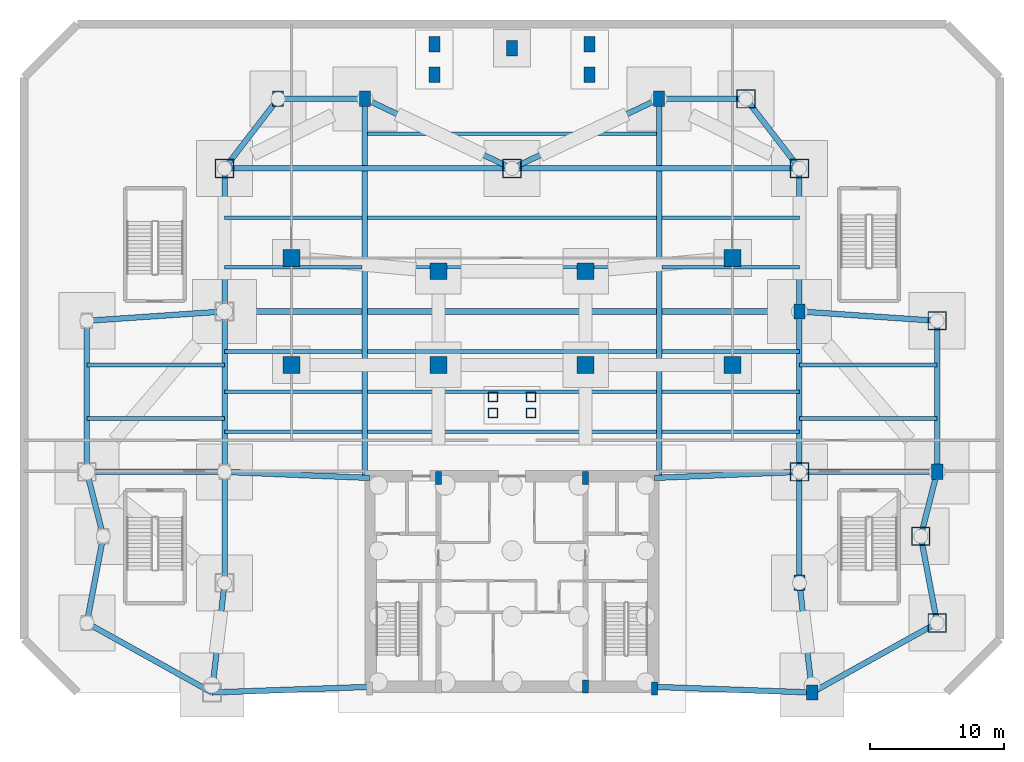
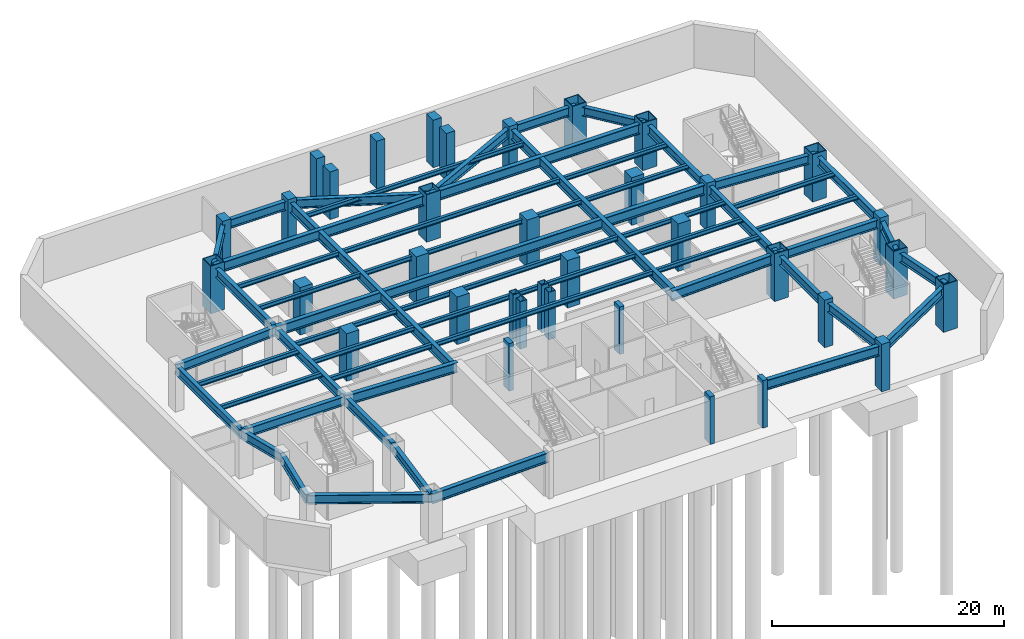
# One storey, part 2 of 7: 55 beams, 36 columns.
"""IFC4 building model written with IfcOpenShell, lengths in metres."""

from ifc_helpers import new_model, si_unit, direction, frame, origin, origin_2d, place, context, subcontext, project, spatial, rectangle, hollow_rectangle, i_section, extrude, source, transform, mapped, material, material_profile, profile_set, type_object, type_shapes, element, save


model = new_model("IFC4")

# Units and contexts
model_context = context("Model", 3, precision=1e-05, world=origin(), true_north=direction((0.0, 1.0)))
body_context = subcontext(model_context, "Body", "Model", "MODEL_VIEW")
ifc_project = project(units=[si_unit("LENGTHUNIT", "METRE"), si_unit("AREAUNIT", "SQUARE_METRE"), si_unit("VOLUMEUNIT", "CUBIC_METRE"), si_unit("PLANEANGLEUNIT", "RADIAN"), si_unit("MASSUNIT", "GRAM", prefix="KILO")], contexts=[model_context])

# Site, building, storey
site_placement = place(None, origin())
site = spatial("IfcSite", under=ifc_project, at=site_placement, CompositionType="ELEMENT")
building_placement = place(site_placement, origin())
building = spatial("IfcBuilding", under=site, at=building_placement, Name="Varnakhor Terracotta Tower", CompositionType="ELEMENT")
storey_placement = place(building_placement, frame((0.0, 0.0, -10.0)))
storey = spatial("IfcBuildingStorey", under=building, at=storey_placement, Name="B02", CompositionType="ELEMENT", Elevation=-10.0)

# Columns
ifc_material_1 = material(Name="Concrete C50/60", Category="concrete")
ifc_material_profile_1 = material_profile(ifc_material_1, rectangle(XDim=0.449951171875, YDim=0.949951171875, at=origin_2d()), Name="RC PILASTER 950x450")
ifc_profile_set_1 = profile_set([ifc_material_profile_1], Name="Concrete C50/60")
column_type_1 = type_object("IfcColumnType", Name="COL-PIL-950x450", PredefinedType="PILASTER", material=ifc_profile_set_1)
shared_shape_1 = source(origin(), body_context, "Body", "SweptSolid", [
    extrude(rectangle(XDim=0.449951171875, YDim=0.949951171875, at=origin_2d()), origin(), (0.0, 0.0, 1.0), 5.0),
])
type_shapes(column_type_1, [shared_shape_1])
for number, where, z_axis, x_axis, name in (
    (1, (5.5, 0.449951171875, 0.0), (0.0, 0.0, 1.0), (1.0, 0.0, 0.0), "B02 Core Pilaster CP3"),
    (2, (10.64990234375, 0.300048828125, 0.0), (0.0, 0.0, 1.0), (1.0, 0.0, 0.0), "B02 Core Pilaster CP4"),
    (3, (-5.5, 16.050048828125, 0.0), (0.0, 0.0, 1.0), (1.0, 0.0, 0.0), "B02 Core Pilaster CP5"),
    (4, (5.5, 16.050048828125, 0.0), (0.0, 0.0, 1.0), (1.0, 0.0, 0.0), "B02 Core Pilaster CP6"),
):
    element("IfcColumn", number, at=place(storey_placement, frame(where, z_axis=z_axis, x_axis=x_axis)), inside=storey, type_object=column_type_1, Name=name, PredefinedType="PILASTER", context=body_context, shape_type="MappedRepresentation", body=[
        mapped(shared_shape_1, transform((0.0, 0.0, 0.0), scale=1.0)),
    ])
ifc_material_2 = material(Name="Concrete C60/75", Category="concrete")
ifc_material_profile_2 = material_profile(ifc_material_2, rectangle(XDim=0.85009765625, YDim=1.14990234375, at=origin_2d()), Name="RC 1150x850")
ifc_profile_set_2 = profile_set([ifc_material_profile_2], Name="Concrete C60/75")
column_type_2 = type_object("IfcColumnType", Name="COL-RC-1150x850", PredefinedType="COLUMN", material=ifc_profile_set_2)
shared_shape_2 = source(origin(), body_context, "Body", "SweptSolid", [
    extrude(rectangle(XDim=0.85009765625, YDim=1.14990234375, at=origin_2d()), origin(), (0.0, 0.0, 1.0), 5.0),
])
type_shapes(column_type_2, [shared_shape_2])
for number, where, z_axis, x_axis, name in (
    (5, (-5.800048828125, 46.199951171875, 0.0), (0.0, 0.0, 1.0), (1.0, 0.0, 0.0), "B02 North Terrace Support Column 1"),
    (6, (5.800048828125, 46.199951171875, 0.0), (0.0, 0.0, 1.0), (1.0, 0.0, 0.0), "B02 North Terrace Support Column 2"),
    (7, (0.0, 48.199951171875, 0.0), (0.0, 0.0, 1.0), (1.0, 0.0, 0.0), "B02 North Terrace Support Column 3"),
    (8, (-5.800048828125, 48.5, 0.0), (0.0, 0.0, 1.0), (1.0, 0.0, 0.0), "B02 North Terrace Support Column 4"),
    (9, (5.800048828125, 48.5, 0.0), (0.0, 0.0, 1.0), (1.0, 0.0, 0.0), "B02 North Terrace Support Column 5"),
    (10, (22.446044921875, 0.0, 0.0), (0.0, 0.0, 1.0), (1.0, 0.0, 0.0), "B02 Podium Column PC02"),
    (11, (21.5, 8.199951171875, 0.0), (0.0, 0.0, 1.0), (1.0, 0.0, 0.0), "B02 Podium Column PC04"),
    (12, (31.800048828125, 16.5, 0.0), (0.0, 0.0, 1.0), (1.0, 0.0, 0.0), "B02 Podium Column PC06"),
    (13, (21.5, 28.5, 0.0), (0.0, 0.0, 1.0), (1.0, 0.0, 0.0), "B02 Podium Column PC08"),
    (14, (-11.0, 44.39990234375, 0.0), (0.0, 0.0, 1.0), (1.0, 0.0, 0.0), "B02 Podium Column PC10"),
    (15, (11.0, 44.39990234375, 0.0), (0.0, 0.0, 1.0), (1.0, 0.0, 0.0), "B02 Podium Column PC12"),
    (16, (-17.5, 44.39990234375, 0.0), (0.0, 0.0, 1.0), (1.0, 0.0, 0.0), "B02 Podium Column PC20"),
):
    element("IfcColumn", number, at=place(storey_placement, frame(where, z_axis=z_axis, x_axis=x_axis)), inside=storey, type_object=column_type_2, Name=name, PredefinedType="COLUMN", context=body_context, shape_type="MappedRepresentation", body=[
        mapped(shared_shape_2, transform((0.0, 0.0, 0.0), scale=1.0)),
    ])
ifc_material_3 = material(Name="Steel S355", Category="steel")
ifc_material_profile_3 = material_profile(ifc_material_3, hollow_rectangle(XDim=0.699951171875, YDim=0.699951171875, WallThickness=0.035888671875, at=origin_2d()), Name="BOX 700x700x36")
ifc_profile_set_3 = profile_set([ifc_material_profile_3], Name="Steel S355")
column_type_3 = type_object("IfcColumnType", Name="COL-MEGA-700", PredefinedType="COLUMN", material=ifc_profile_set_3)
shared_shape_3 = source(origin(), body_context, "Body", "SweptSolid", [
    extrude(hollow_rectangle(XDim=0.699951171875, YDim=0.699951171875, WallThickness=0.035888671875, at=origin_2d()), origin(), (0.0, 0.0, 1.0), 5.0),
])
type_shapes(column_type_3, [shared_shape_3])
for number, where, z_axis, x_axis, name in (
    (17, (-1.419921875, 20.89990234375, 0.0), (0.0, 0.0, 1.0), (1.0, 0.0, 0.0), "B02 Feature Stair Support Column 1"),
    (18, (1.419921875, 20.89990234375, 0.0), (0.0, 0.0, 1.0), (1.0, 0.0, 0.0), "B02 Feature Stair Support Column 2"),
    (19, (-1.419921875, 22.10009765625, 0.0), (0.0, 0.0, 1.0), (1.0, 0.0, 0.0), "B02 Feature Stair Support Column 3"),
    (20, (1.419921875, 22.10009765625, 0.0), (0.0, 0.0, 1.0), (1.0, 0.0, 0.0), "B02 Feature Stair Support Column 4"),
):
    element("IfcColumn", number, at=place(storey_placement, frame(where, z_axis=z_axis, x_axis=x_axis)), inside=storey, type_object=column_type_3, Name=name, PredefinedType="COLUMN", context=body_context, shape_type="MappedRepresentation", body=[
        mapped(shared_shape_3, transform((0.0, 0.0, 0.0), scale=1.0)),
    ])
ifc_material_4 = material(Name="Steel S460", Category="steel")
ifc_material_profile_4 = material_profile(ifc_material_4, hollow_rectangle(XDim=1.39990234375, YDim=1.39990234375, WallThickness=0.070068359375, at=origin_2d()), Name="BOX 1400x1400x70")
ifc_profile_set_4 = profile_set([ifc_material_profile_4], Name="Steel S460")
column_type_4 = type_object("IfcColumnType", Name="COL-MEGA-1400", PredefinedType="COLUMN", material=ifc_profile_set_4)
shared_shape_4 = source(origin(), body_context, "Body", "SweptSolid", [
    extrude(hollow_rectangle(XDim=1.39990234375, YDim=1.39990234375, WallThickness=0.070068359375, at=origin_2d()), origin(), (0.0, 0.0, 1.0), 5.0),
])
type_shapes(column_type_4, [shared_shape_4])
for number, where, z_axis, x_axis, name in (
    (21, (-21.5, 39.199951171875, 0.0), (0.0, 0.0, 1.0), (1.0, 0.0, 0.0), "B02 Podium Column PC09"),
    (22, (0.0, 39.199951171875, 0.0), (0.0, 0.0, 1.0), (1.0, 0.0, 0.0), "B02 Podium Column PC11"),
    (23, (21.5, 39.199951171875, 0.0), (0.0, 0.0, 1.0), (1.0, 0.0, 0.0), "B02 Podium Column PC13"),
    (24, (21.5, 16.5, 0.0), (0.0, 0.0, 1.0), (1.0, 0.0, 0.0), "B02 Podium Column PC15"),
    (25, (31.800048828125, 5.199951171875, 0.0), (0.0, 0.0, 1.0), (1.0, 0.0, 0.0), "B02 Podium Column PC17"),
    (26, (31.800048828125, 27.800048828125, 0.0), (0.0, 0.0, 1.0), (1.0, 0.0, 0.0), "B02 Podium Column PC19"),
    (27, (17.5, 44.39990234375, 0.0), (0.0, 0.0, 1.0), (1.0, 0.0, 0.0), "B02 Podium Column PC21"),
    (28, (30.572998046875, 11.68701171875, 0.0), (0.0, 0.0, 1.0), (1.0, 0.0, 0.0), "B02 Podium Column PC23"),
):
    element("IfcColumn", number, at=place(storey_placement, frame(where, z_axis=z_axis, x_axis=x_axis)), inside=storey, type_object=column_type_4, Name=name, PredefinedType="COLUMN", context=body_context, shape_type="MappedRepresentation", body=[
        mapped(shared_shape_4, transform((0.0, 0.0, 0.0), scale=1.0)),
    ])
ifc_material_profile_5 = material_profile(ifc_material_2, rectangle(XDim=1.25, YDim=1.25, at=origin_2d()), Name="RC 1250x1250")
ifc_profile_set_5 = profile_set([ifc_material_profile_5], Name="Concrete C60/75")
column_type_5 = type_object("IfcColumnType", Name="COL-RC-1250", PredefinedType="COLUMN", material=ifc_profile_set_5)
shared_shape_5 = source(origin(), body_context, "Body", "SweptSolid", [
    extrude(rectangle(XDim=1.25, YDim=1.25, at=origin_2d()), origin(), (0.0, 0.0, 1.0), 5.0),
])
type_shapes(column_type_5, [shared_shape_5])
for number, where, z_axis, x_axis, name in (
    (29, (-5.5, 24.5, 0.0), (0.0, 0.0, 1.0), (1.0, 0.0, 0.0), "B02 Basement Column BC01"),
    (30, (5.5, 24.5, 0.0), (0.0, 0.0, 1.0), (1.0, 0.0, 0.0), "B02 Basement Column BC02"),
    (31, (-5.5, 31.5, 0.0), (0.0, 0.0, 1.0), (1.0, 0.0, 0.0), "B02 Basement Column BC03"),
    (32, (5.5, 31.5, 0.0), (0.0, 0.0, 1.0), (1.0, 0.0, 0.0), "B02 Basement Column BC04"),
    (33, (-16.5, 24.5, 0.0), (0.0, 0.0, 1.0), (1.0, 0.0, 0.0), "B02 Basement Column BC05"),
    (34, (16.5, 24.5, 0.0), (0.0, 0.0, 1.0), (1.0, 0.0, 0.0), "B02 Basement Column BC06"),
    (35, (-16.5, 32.5, 0.0), (0.0, 0.0, 1.0), (1.0, 0.0, 0.0), "B02 Basement Column BC07"),
    (36, (16.5, 32.5, 0.0), (0.0, 0.0, 1.0), (1.0, 0.0, 0.0), "B02 Basement Column BC08"),
):
    element("IfcColumn", number, at=place(storey_placement, frame(where, z_axis=z_axis, x_axis=x_axis)), inside=storey, type_object=column_type_5, Name=name, PredefinedType="COLUMN", context=body_context, shape_type="MappedRepresentation", body=[
        mapped(shared_shape_5, transform((0.0, 0.0, 0.0), scale=1.0)),
    ])

# Beams
ifc_material_profile_6 = material_profile(ifc_material_3, i_section(OverallWidth=0.41796875, OverallDepth=0.927001953125, WebThickness=0.01904296875, FlangeThickness=0.031982421875, FilletRadius=0.01806640625, at=origin_2d()), Name="W36X231")
ifc_profile_set_6 = profile_set([ifc_material_profile_6], Name="Steel S355")
beam_type_1 = type_object("IfcBeamType", Name="BM-W36X231", PredefinedType="BEAM", material=ifc_profile_set_6)
shared_shape_6 = source(origin(), body_context, "Body", "SweptSolid", [
    extrude(i_section(OverallWidth=0.41796875, OverallDepth=0.927001953125, WebThickness=0.01904296875, FlangeThickness=0.031982421875, FilletRadius=0.01806640625, at=origin_2d()), origin(), (0.0, 0.0, 1.0), 8.25439453125),
])
type_shapes(beam_type_1, [shared_shape_6])
for number, where, z_axis, x_axis, name in (
    (37, (-22.446044921875, 0.0, 4.136474609375), (0.114611758944, 0.993410360683, 0.0), (-0.993410360683, 0.114611758944, 0.0), "B02 Podium Ring Girder 1"),
    (38, (21.5, 8.199951171875, 4.136474609375), (0.114611758944, -0.993410360683, 0.0), (0.993410360683, 0.114611758944, 0.0), "B02 Podium Ring Girder 14"),
):
    element("IfcBeam", number, at=place(storey_placement, frame(where, z_axis=z_axis, x_axis=x_axis)), inside=storey, type_object=beam_type_1, Name=name, PredefinedType="BEAM", context=body_context, shape_type="MappedRepresentation", body=[
        mapped(shared_shape_6, transform((0.0, 0.0, 0.0), scale=1.0)),
    ])
shared_shape_7 = source(origin(), body_context, "Body", "SweptSolid", [
    extrude(i_section(OverallWidth=0.41796875, OverallDepth=0.927001953125, WebThickness=0.01904296875, FlangeThickness=0.031982421875, FilletRadius=0.01806640625, at=origin_2d()), origin(), (0.0, 0.0, 1.0), 8.300048828125),
])
for number, where, z_axis, x_axis, name in (
    (39, (-21.5, 8.199951171875, 4.136474609375), (0.0, 1.0, 0.0), (-1.0, 0.0, 0.0), "B02 Podium Ring Girder 2"),
    (40, (21.5, 16.5, 4.136474609375), (0.0, -1.0, 0.0), (1.0, 0.0, 0.0), "B02 Podium Ring Girder 13"),
):
    element("IfcBeam", number, at=place(storey_placement, frame(where, z_axis=z_axis, x_axis=x_axis)), inside=storey, type_object=beam_type_1, Name=name, PredefinedType="BEAM", context=body_context, shape_type="MappedRepresentation", body=[
        mapped(shared_shape_7, transform((0.0, 0.0, 0.0), scale=1.0)),
    ])
shared_shape_8 = source(origin(), body_context, "Body", "SweptSolid", [
    extrude(i_section(OverallWidth=0.41796875, OverallDepth=0.927001953125, WebThickness=0.01904296875, FlangeThickness=0.031982421875, FilletRadius=0.01806640625, at=origin_2d()), origin(), (0.0, 0.0, 1.0), 12.0),
])
for number, where, z_axis, x_axis, name in (
    (41, (-21.5, 16.5, 4.136474609375), (0.0, 1.0, 0.0), (-1.0, 0.0, 0.0), "B02 Podium Ring Girder 3"),
    (42, (21.5, 28.5, 4.136474609375), (0.0, -1.0, 0.0), (1.0, 0.0, 0.0), "B02 Podium Ring Girder 12"),
):
    element("IfcBeam", number, at=place(storey_placement, frame(where, z_axis=z_axis, x_axis=x_axis)), inside=storey, type_object=beam_type_1, Name=name, PredefinedType="BEAM", context=body_context, shape_type="MappedRepresentation", body=[
        mapped(shared_shape_8, transform((0.0, 0.0, 0.0), scale=1.0)),
    ])
shared_shape_9 = source(origin(), body_context, "Body", "SweptSolid", [
    extrude(i_section(OverallWidth=0.41796875, OverallDepth=0.927001953125, WebThickness=0.01904296875, FlangeThickness=0.031982421875, FilletRadius=0.01806640625, at=origin_2d()), origin(), (0.0, 0.0, 1.0), 10.699951171875),
])
for number, where, z_axis, x_axis, name in (
    (43, (-21.5, 28.5, 4.136474609375), (0.0, 1.0, 0.0), (-1.0, 0.0, 0.0), "B02 Podium Ring Girder 4"),
    (44, (21.5, 39.199951171875, 4.136474609375), (0.0, -1.0, 0.0), (1.0, 0.0, 0.0), "B02 Podium Ring Girder 11"),
):
    element("IfcBeam", number, at=place(storey_placement, frame(where, z_axis=z_axis, x_axis=x_axis)), inside=storey, type_object=beam_type_1, Name=name, PredefinedType="BEAM", context=body_context, shape_type="MappedRepresentation", body=[
        mapped(shared_shape_9, transform((0.0, 0.0, 0.0), scale=1.0)),
    ])
shared_shape_10 = source(origin(), body_context, "Body", "SweptSolid", [
    extrude(i_section(OverallWidth=0.41796875, OverallDepth=0.927001953125, WebThickness=0.01904296875, FlangeThickness=0.031982421875, FilletRadius=0.01806640625, at=origin_2d()), origin(), (0.0, 0.0, 1.0), 6.560546875),
])
for number, where, z_axis, x_axis, name in (
    (45, (-21.5, 39.199951171875, 4.136474609375), (0.609714357737, 0.792621222255, 0.0), (-0.792621222255, 0.609714357737, 0.0), "B02 Podium Ring Girder 5"),
    (46, (17.5, 44.39990234375, 4.136474609375), (0.609714357737, -0.792621222255, 0.0), (0.792621222255, 0.609714357737, 0.0), "B02 Podium Ring Girder 10"),
):
    element("IfcBeam", number, at=place(storey_placement, frame(where, z_axis=z_axis, x_axis=x_axis)), inside=storey, type_object=beam_type_1, Name=name, PredefinedType="BEAM", context=body_context, shape_type="MappedRepresentation", body=[
        mapped(shared_shape_10, transform((0.0, 0.0, 0.0), scale=1.0)),
    ])
shared_shape_11 = source(origin(), body_context, "Body", "SweptSolid", [
    extrude(i_section(OverallWidth=0.41796875, OverallDepth=0.927001953125, WebThickness=0.01904296875, FlangeThickness=0.031982421875, FilletRadius=0.01806640625, at=origin_2d()), origin(), (0.0, 0.0, 1.0), 6.5),
])
for number, where, z_axis, x_axis, name in (
    (47, (-17.5, 44.39990234375, 4.136474609375), (1.0, 0.0, 0.0), (0.0, 1.0, 0.0), "B02 Podium Ring Girder 6"),
    (48, (11.0, 44.39990234375, 4.136474609375), (1.0, 0.0, 0.0), (0.0, 1.0, 0.0), "B02 Podium Ring Girder 9"),
):
    element("IfcBeam", number, at=place(storey_placement, frame(where, z_axis=z_axis, x_axis=x_axis)), inside=storey, type_object=beam_type_1, Name=name, PredefinedType="BEAM", context=body_context, shape_type="MappedRepresentation", body=[
        mapped(shared_shape_11, transform((0.0, 0.0, 0.0), scale=1.0)),
    ])
shared_shape_12 = source(origin(), body_context, "Body", "SweptSolid", [
    extrude(i_section(OverallWidth=0.41796875, OverallDepth=0.927001953125, WebThickness=0.01904296875, FlangeThickness=0.031982421875, FilletRadius=0.01806640625, at=origin_2d()), origin(), (0.0, 0.0, 1.0), 12.167236328125),
])
for number, where, z_axis, x_axis, name in (
    (49, (-11.0, 44.39990234375, 4.136474609375), (0.904073817094, -0.427376336787, 0.0), (0.427376336787, 0.904073817094, 0.0), "B02 Podium Ring Girder 7"),
    (50, (0.0, 39.199951171875, 4.136474609375), (0.904073817094, 0.427376336787, 0.0), (-0.427376336787, 0.904073817094, 0.0), "B02 Podium Ring Girder 8"),
):
    element("IfcBeam", number, at=place(storey_placement, frame(where, z_axis=z_axis, x_axis=x_axis)), inside=storey, type_object=beam_type_1, Name=name, PredefinedType="BEAM", context=body_context, shape_type="MappedRepresentation", body=[
        mapped(shared_shape_12, transform((0.0, 0.0, 0.0), scale=1.0)),
    ])
shared_shape_13 = source(origin(), body_context, "Body", "SweptSolid", [
    extrude(i_section(OverallWidth=0.41796875, OverallDepth=0.927001953125, WebThickness=0.01904296875, FlangeThickness=0.031982421875, FilletRadius=0.01806640625, at=origin_2d()), origin(), (0.0, 0.0, 1.0), 10.7021484375),
])
for number, where, z_axis, x_axis, name in (
    (51, (-22.446044921875, 0.0, 4.136474609375), (-0.874027042936, 0.485877276909, 0.0), (-0.485877276909, -0.874027042936, 0.0), "B02 Podium Wing Girder OW1"),
    (52, (22.446044921875, 0.0, 4.136474609375), (0.874027042936, 0.485877276909, 0.0), (-0.485877276909, 0.874027042936, 0.0), "B02 Podium Wing Girder OE1"),
):
    element("IfcBeam", number, at=place(storey_placement, frame(where, z_axis=z_axis, x_axis=x_axis)), inside=storey, type_object=beam_type_1, Name=name, PredefinedType="BEAM", context=body_context, shape_type="MappedRepresentation", body=[
        mapped(shared_shape_13, transform((0.0, 0.0, 0.0), scale=1.0)),
    ])
shared_shape_14 = source(origin(), body_context, "Body", "SweptSolid", [
    extrude(i_section(OverallWidth=0.41796875, OverallDepth=0.927001953125, WebThickness=0.01904296875, FlangeThickness=0.031982421875, FilletRadius=0.01806640625, at=origin_2d()), origin(), (0.0, 0.0, 1.0), 6.60205078125),
])
for number, where, z_axis, x_axis, name in (
    (53, (-31.800048828125, 5.199951171875, 4.136474609375), (0.185857896361, 0.982576634345, 0.0), (-0.982576634345, 0.185857896361, 0.0), "B02 Podium Wing Girder OW2A"),
    (54, (31.800048828125, 5.199951171875, 4.136474609375), (-0.185857896361, 0.982576634345, 0.0), (-0.982576634345, -0.185857896361, 0.0), "B02 Podium Wing Girder OE2A"),
):
    element("IfcBeam", number, at=place(storey_placement, frame(where, z_axis=z_axis, x_axis=x_axis)), inside=storey, type_object=beam_type_1, Name=name, PredefinedType="BEAM", context=body_context, shape_type="MappedRepresentation", body=[
        mapped(shared_shape_14, transform((0.0, 0.0, 0.0), scale=1.0)),
    ])
shared_shape_15 = source(origin(), body_context, "Body", "SweptSolid", [
    extrude(i_section(OverallWidth=0.41796875, OverallDepth=0.927001953125, WebThickness=0.01904296875, FlangeThickness=0.031982421875, FilletRadius=0.01806640625, at=origin_2d()), origin(), (0.0, 0.0, 1.0), 4.967041015625),
])
for number, where, z_axis, x_axis, name in (
    (55, (-30.572998046875, 11.68701171875, 4.136474609375), (-0.247043524216, 0.969004384481, 0.0), (-0.969004384481, -0.247043524216, 0.0), "B02 Podium Wing Girder OW2B"),
    (56, (30.572998046875, 11.68701171875, 4.136474609375), (0.247043524216, 0.969004384481, 0.0), (-0.969004384481, 0.247043524216, 0.0), "B02 Podium Wing Girder OE2B"),
):
    element("IfcBeam", number, at=place(storey_placement, frame(where, z_axis=z_axis, x_axis=x_axis)), inside=storey, type_object=beam_type_1, Name=name, PredefinedType="BEAM", context=body_context, shape_type="MappedRepresentation", body=[
        mapped(shared_shape_15, transform((0.0, 0.0, 0.0), scale=1.0)),
    ])
shared_shape_16 = source(origin(), body_context, "Body", "SweptSolid", [
    extrude(i_section(OverallWidth=0.41796875, OverallDepth=0.927001953125, WebThickness=0.01904296875, FlangeThickness=0.031982421875, FilletRadius=0.01806640625, at=origin_2d()), origin(), (0.0, 0.0, 1.0), 11.300048828125),
])
for number, where, z_axis, x_axis, name in (
    (57, (-31.800048828125, 16.5, 4.136474609375), (0.0, 1.0, 0.0), (-1.0, 0.0, 0.0), "B02 Podium Wing Girder OW3"),
    (58, (31.800048828125, 16.5, 4.136474609375), (0.0, 1.0, 0.0), (-1.0, 0.0, 0.0), "B02 Podium Wing Girder OE3"),
):
    element("IfcBeam", number, at=place(storey_placement, frame(where, z_axis=z_axis, x_axis=x_axis)), inside=storey, type_object=beam_type_1, Name=name, PredefinedType="BEAM", context=body_context, shape_type="MappedRepresentation", body=[
        mapped(shared_shape_16, transform((0.0, 0.0, 0.0), scale=1.0)),
    ])
shared_shape_17 = source(origin(), body_context, "Body", "SweptSolid", [
    extrude(i_section(OverallWidth=0.41796875, OverallDepth=0.927001953125, WebThickness=0.01904296875, FlangeThickness=0.031982421875, FilletRadius=0.01806640625, at=origin_2d()), origin(), (0.0, 0.0, 1.0), 10.300048828125),
])
for number, where, z_axis, x_axis, name in (
    (59, (-21.5, 16.5, 4.136474609375), (-1.0, 0.0, 0.0), (0.0, -1.0, 0.0), "B02 Podium Wing Girder OW4"),
    (60, (21.5, 16.5, 4.136474609375), (1.0, 0.0, 0.0), (0.0, 1.0, 0.0), "B02 Podium Wing Girder OE4"),
):
    element("IfcBeam", number, at=place(storey_placement, frame(where, z_axis=z_axis, x_axis=x_axis)), inside=storey, type_object=beam_type_1, Name=name, PredefinedType="BEAM", context=body_context, shape_type="MappedRepresentation", body=[
        mapped(shared_shape_17, transform((0.0, 0.0, 0.0), scale=1.0)),
    ])
shared_shape_18 = source(origin(), body_context, "Body", "SweptSolid", [
    extrude(i_section(OverallWidth=0.41796875, OverallDepth=0.927001953125, WebThickness=0.01904296875, FlangeThickness=0.031982421875, FilletRadius=0.01806640625, at=origin_2d()), origin(), (0.0, 0.0, 1.0), 10.32373046875),
])
for number, where, z_axis, x_axis, name in (
    (61, (-21.5, 28.5, 4.136474609375), (-0.997698950759, -0.067799731964, 0.0), (0.067799731964, -0.997698950759, 0.0), "B02 Podium Wing Girder OW5"),
    (62, (21.5, 28.5, 4.136474609375), (0.997698950759, -0.067799731964, 0.0), (0.067799731964, 0.997698950759, 0.0), "B02 Podium Wing Girder OE5"),
):
    element("IfcBeam", number, at=place(storey_placement, frame(where, z_axis=z_axis, x_axis=x_axis)), inside=storey, type_object=beam_type_1, Name=name, PredefinedType="BEAM", context=body_context, shape_type="MappedRepresentation", body=[
        mapped(shared_shape_18, transform((0.0, 0.0, 0.0), scale=1.0)),
    ])
ifc_material_profile_7 = material_profile(ifc_material_4, i_section(OverallWidth=0.419921875, OverallDepth=1.0400390625, WebThickness=0.031005859375, FlangeThickness=0.055908203125, FilletRadius=0.01806640625, at=origin_2d()), Name="W40X397")
ifc_profile_set_7 = profile_set([ifc_material_profile_7], Name="Steel S460")
beam_type_2 = type_object("IfcBeamType", Name="BM-W40X397", PredefinedType="BEAM", material=ifc_profile_set_7)
shared_shape_19 = source(origin(), body_context, "Body", "SweptSolid", [
    extrude(i_section(OverallWidth=0.419921875, OverallDepth=1.0400390625, WebThickness=0.031005859375, FlangeThickness=0.055908203125, FilletRadius=0.01806640625, at=origin_2d()), origin(), (0.0, 0.0, 1.0), 11.8037109375),
])
type_shapes(beam_type_2, [shared_shape_19])
for number, where, z_axis, x_axis, name in (
    (63, (-22.446044921875, 0.0, 4.080078125), (0.999366984345, 0.035575702404, 0.0), (-0.035575702404, 0.999366984345, 0.0), "B02 Podium Primary Girder GW1"),
    (64, (10.64990234375, 0.419921875, 4.080078125), (0.999366984345, -0.035575702404, 0.0), (0.035575702404, 0.999366984345, 0.0), "B02 Podium Primary Girder GE1"),
):
    element("IfcBeam", number, at=place(storey_placement, frame(where, z_axis=z_axis, x_axis=x_axis)), inside=storey, type_object=beam_type_2, Name=name, PredefinedType="BEAM", context=body_context, shape_type="MappedRepresentation", body=[
        mapped(shared_shape_19, transform((0.0, 0.0, 0.0), scale=1.0)),
    ])
shared_shape_20 = source(origin(), body_context, "Body", "SweptSolid", [
    extrude(i_section(OverallWidth=0.419921875, OverallDepth=1.0400390625, WebThickness=0.031005859375, FlangeThickness=0.055908203125, FilletRadius=0.01806640625, at=origin_2d()), origin(), (0.0, 0.0, 1.0), 10.859375),
])
for number, where, z_axis, x_axis, name in (
    (65, (-21.5, 16.5, 4.080078125), (0.99914123612, -0.041434168088, 0.0), (0.041434168088, 0.99914123612, 0.0), "B02 Podium Primary Girder GW2"),
    (66, (10.64990234375, 16.050048828125, 4.080078125), (0.99914123612, 0.041434168088, 0.0), (-0.041434168088, 0.99914123612, 0.0), "B02 Podium Primary Girder GE2"),
):
    element("IfcBeam", number, at=place(storey_placement, frame(where, z_axis=z_axis, x_axis=x_axis)), inside=storey, type_object=beam_type_2, Name=name, PredefinedType="BEAM", context=body_context, shape_type="MappedRepresentation", body=[
        mapped(shared_shape_20, transform((0.0, 0.0, 0.0), scale=1.0)),
    ])
shared_shape_21 = source(origin(), body_context, "Body", "SweptSolid", [
    extrude(i_section(OverallWidth=0.419921875, OverallDepth=1.0400390625, WebThickness=0.031005859375, FlangeThickness=0.055908203125, FilletRadius=0.01806640625, at=origin_2d()), origin(), (0.0, 0.0, 1.0), 43.0),
])
beam_placement = place(storey_placement, frame((-21.5, 28.5, 4.080078125), z_axis=(1.0, 0.0, 0.0), x_axis=(0.0, 1.0, 0.0)))
element("IfcBeam", 67, at=beam_placement, inside=storey, type_object=beam_type_2, Name="B02 Podium Primary Girder GN1", PredefinedType="BEAM", context=body_context, shape_type="MappedRepresentation", body=[
    mapped(shared_shape_21, transform((0.0, 0.0, 0.0), scale=1.0)),
])
shared_shape_22 = source(origin(), body_context, "Body", "SweptSolid", [
    extrude(i_section(OverallWidth=0.419921875, OverallDepth=1.0400390625, WebThickness=0.031005859375, FlangeThickness=0.055908203125, FilletRadius=0.01806640625, at=origin_2d()), origin(), (0.0, 0.0, 1.0), 21.5),
])
for number, where, z_axis, x_axis, name in (
    (68, (-21.5, 39.199951171875, 4.080078125), (1.0, 0.0, 0.0), (0.0, 1.0, 0.0), "B02 Podium Primary Girder GN2"),
    (69, (0.0, 39.199951171875, 4.080078125), (1.0, 0.0, 0.0), (0.0, 1.0, 0.0), "B02 Podium Primary Girder GN3"),
):
    element("IfcBeam", number, at=place(storey_placement, frame(where, z_axis=z_axis, x_axis=x_axis)), inside=storey, type_object=beam_type_2, Name=name, PredefinedType="BEAM", context=body_context, shape_type="MappedRepresentation", body=[
        mapped(shared_shape_22, transform((0.0, 0.0, 0.0), scale=1.0)),
    ])
shared_shape_23 = source(origin(), body_context, "Body", "SweptSolid", [
    extrude(i_section(OverallWidth=0.419921875, OverallDepth=1.0400390625, WebThickness=0.031005859375, FlangeThickness=0.055908203125, FilletRadius=0.01806640625, at=origin_2d()), origin(), (0.0, 0.0, 1.0), 28.349853515625),
])
for number, where, z_axis, x_axis, name in (
    (70, (-11.0, 16.050048828125, 4.080078125), (0.0, 1.0, 0.0), (-1.0, 0.0, 0.0), "B02 Podium Primary Girder GNS-W"),
    (71, (11.0, 16.050048828125, 4.080078125), (0.0, 1.0, 0.0), (-1.0, 0.0, 0.0), "B02 Podium Primary Girder GNS-E"),
):
    element("IfcBeam", number, at=place(storey_placement, frame(where, z_axis=z_axis, x_axis=x_axis)), inside=storey, type_object=beam_type_2, Name=name, PredefinedType="BEAM", context=body_context, shape_type="MappedRepresentation", body=[
        mapped(shared_shape_23, transform((0.0, 0.0, 0.0), scale=1.0)),
    ])
ifc_material_profile_8 = material_profile(ifc_material_3, i_section(OverallWidth=0.280029296875, OverallDepth=0.462890625, WebThickness=0.010986328125, FlangeThickness=0.01708984375, FilletRadius=0.01806640625, at=origin_2d()), Name="W18X76")
ifc_profile_set_8 = profile_set([ifc_material_profile_8], Name="Steel S355")
beam_type_3 = type_object("IfcBeamType", Name="JST-W18X76", PredefinedType="JOIST", material=ifc_profile_set_8)
shared_shape_24 = source(origin(), body_context, "Body", "SweptSolid", [
    extrude(i_section(OverallWidth=0.280029296875, OverallDepth=0.462890625, WebThickness=0.010986328125, FlangeThickness=0.01708984375, FilletRadius=0.01806640625, at=origin_2d()), origin(), (0.0, 0.0, 1.0), 10.2939453125),
])
type_shapes(beam_type_3, [shared_shape_24])
for number, where, z_axis, x_axis, name in (
    (72, (-21.5, 19.5, 4.368408203125), (1.0, 0.0, 0.0), (0.0, 1.0, 0.0), "B02 Podium Joist 1W"),
    (73, (11.2060546875, 19.5, 4.368408203125), (1.0, 0.0, 0.0), (0.0, 1.0, 0.0), "B02 Podium Joist 1E"),
    (74, (-21.5, 22.5, 4.368408203125), (1.0, 0.0, 0.0), (0.0, 1.0, 0.0), "B02 Podium Joist 2W"),
    (75, (11.2060546875, 22.5, 4.368408203125), (1.0, 0.0, 0.0), (0.0, 1.0, 0.0), "B02 Podium Joist 2E"),
    (76, (-21.5, 25.5, 4.368408203125), (1.0, 0.0, 0.0), (0.0, 1.0, 0.0), "B02 Podium Joist 3W"),
    (77, (11.2060546875, 25.5, 4.368408203125), (1.0, 0.0, 0.0), (0.0, 1.0, 0.0), "B02 Podium Joist 3E"),
    (78, (-21.5, 31.800048828125, 4.368408203125), (1.0, 0.0, 0.0), (0.0, 1.0, 0.0), "B02 Podium Joist 4W"),
    (79, (11.2060546875, 31.800048828125, 4.368408203125), (1.0, 0.0, 0.0), (0.0, 1.0, 0.0), "B02 Podium Joist 4E"),
    (80, (-21.5, 35.5, 4.368408203125), (1.0, 0.0, 0.0), (0.0, 1.0, 0.0), "B02 Podium Joist 5W"),
    (81, (11.2060546875, 35.5, 4.368408203125), (1.0, 0.0, 0.0), (0.0, 1.0, 0.0), "B02 Podium Joist 5E"),
):
    element("IfcBeam", number, at=place(storey_placement, frame(where, z_axis=z_axis, x_axis=x_axis)), inside=storey, type_object=beam_type_3, Name=name, PredefinedType="JOIST", context=body_context, shape_type="MappedRepresentation", body=[
        mapped(shared_shape_24, transform((0.0, 0.0, 0.0), scale=1.0)),
    ])
shared_shape_25 = source(origin(), body_context, "Body", "SweptSolid", [
    extrude(i_section(OverallWidth=0.280029296875, OverallDepth=0.462890625, WebThickness=0.010986328125, FlangeThickness=0.01708984375, FilletRadius=0.01806640625, at=origin_2d()), origin(), (0.0, 0.0, 1.0), 21.587890625),
])
for number, where, z_axis, x_axis, name in (
    (82, (-10.7939453125, 19.5, 4.368408203125), (1.0, 0.0, 0.0), (0.0, 1.0, 0.0), "B02 Podium Joist 1C"),
    (83, (-10.7939453125, 22.5, 4.368408203125), (1.0, 0.0, 0.0), (0.0, 1.0, 0.0), "B02 Podium Joist 2C"),
    (84, (-10.7939453125, 25.5, 4.368408203125), (1.0, 0.0, 0.0), (0.0, 1.0, 0.0), "B02 Podium Joist 3C"),
    (85, (-10.7939453125, 31.800048828125, 4.368408203125), (1.0, 0.0, 0.0), (0.0, 1.0, 0.0), "B02 Podium Joist 4C"),
    (86, (-10.7939453125, 35.5, 4.368408203125), (1.0, 0.0, 0.0), (0.0, 1.0, 0.0), "B02 Podium Joist 5C"),
    (87, (-10.7939453125, 41.800048828125, 4.368408203125), (1.0, 0.0, 0.0), (0.0, 1.0, 0.0), "B02 Podium Joist 6C"),
):
    element("IfcBeam", number, at=place(storey_placement, frame(where, z_axis=z_axis, x_axis=x_axis)), inside=storey, type_object=beam_type_3, Name=name, PredefinedType="JOIST", context=body_context, shape_type="MappedRepresentation", body=[
        mapped(shared_shape_25, transform((0.0, 0.0, 0.0), scale=1.0)),
    ])
shared_shape_26 = source(origin(), body_context, "Body", "SweptSolid", [
    extrude(i_section(OverallWidth=0.280029296875, OverallDepth=0.462890625, WebThickness=0.010986328125, FlangeThickness=0.01708984375, FilletRadius=0.01806640625, at=origin_2d()), origin(), (0.0, 0.0, 1.0), 10.300048828125),
])
for number, where, z_axis, x_axis, name in (
    (88, (-31.800048828125, 20.5, 4.368408203125), (1.0, 0.0, 0.0), (0.0, 1.0, 0.0), "B02 Wing Joist W3"),
    (89, (21.5, 20.5, 4.368408203125), (1.0, 0.0, 0.0), (0.0, 1.0, 0.0), "B02 Wing Joist E3"),
    (90, (-31.800048828125, 24.5, 4.368408203125), (1.0, 0.0, 0.0), (0.0, 1.0, 0.0), "B02 Wing Joist W4"),
    (91, (21.5, 24.5, 4.368408203125), (1.0, 0.0, 0.0), (0.0, 1.0, 0.0), "B02 Wing Joist E4"),
):
    element("IfcBeam", number, at=place(storey_placement, frame(where, z_axis=z_axis, x_axis=x_axis)), inside=storey, type_object=beam_type_3, Name=name, PredefinedType="JOIST", context=body_context, shape_type="MappedRepresentation", body=[
        mapped(shared_shape_26, transform((0.0, 0.0, 0.0), scale=1.0)),
    ])

save(model, "model.ifc")
